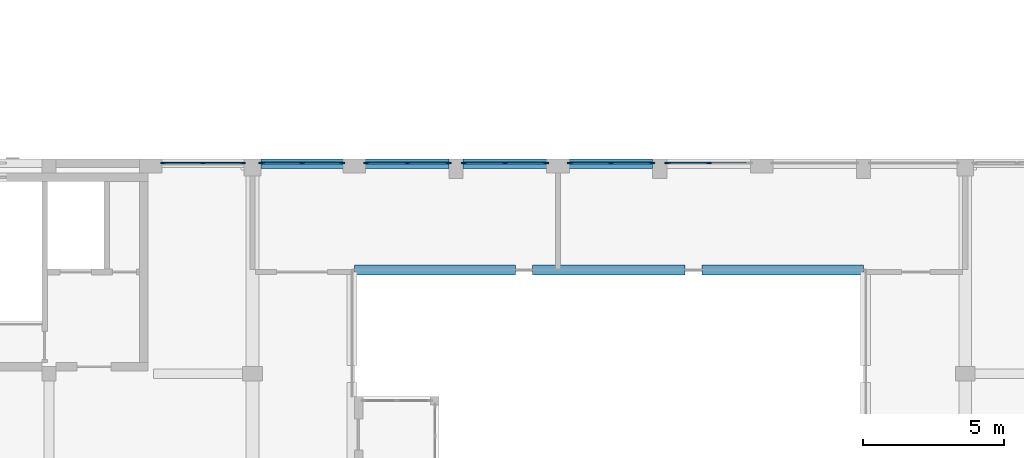
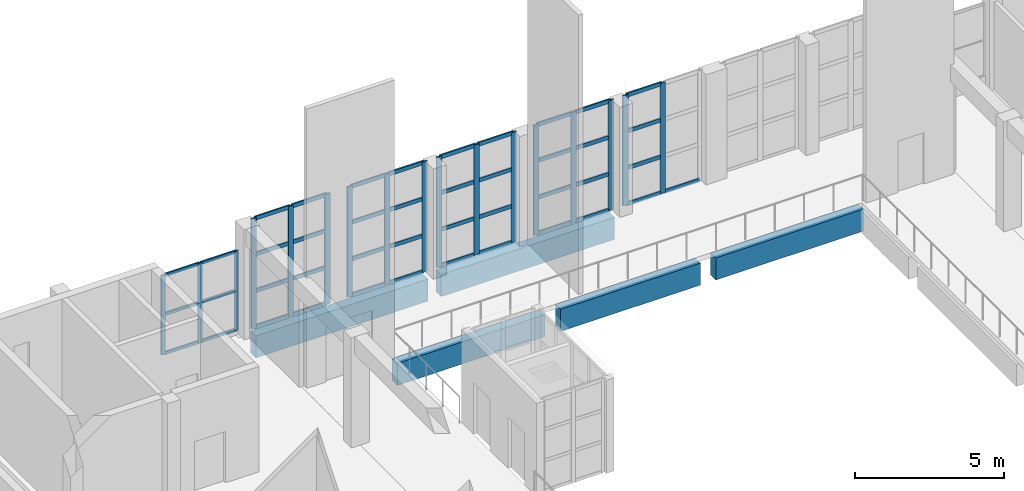
# One storey, part 8 of 54: 60 members, 5 beams, 6 elements without a shape of their own.
"""IFC4 building model written with IfcOpenShell, lengths in metres."""

from ifc_helpers import new_model, si_unit, direction, frame, origin, origin_2d, place, context, subcontext, project, spatial, rectangle, extrude, material, layer, layer_set, material_profile, profile_set, type_object, element, aggregate, save


model = new_model("IFC4")

# Units and contexts
model_context = context("Model", 3, precision=1e-05, world=origin(), true_north=direction((0.0, 1.0)))
body_context = subcontext(model_context, "Body", "Model", "MODEL_VIEW")
ifc_project = project(units=[si_unit("LENGTHUNIT", "METRE"), si_unit("AREAUNIT", "SQUARE_METRE"), si_unit("VOLUMEUNIT", "CUBIC_METRE"), si_unit("PLANEANGLEUNIT", "RADIAN"), si_unit("MASSUNIT", "GRAM", prefix="KILO")], contexts=[model_context])

# Site, building, storey
site_placement = place(None, origin())
site = spatial("IfcSite", under=ifc_project, at=site_placement, CompositionType="ELEMENT")
building_placement = place(site_placement, origin())
building = spatial("IfcBuilding", under=site, at=building_placement, Name="Ussher Court Research Institute", CompositionType="ELEMENT")
storey_placement = place(building_placement, frame((0.0, 0.0, 14.39990234375)))
storey = spatial("IfcBuildingStorey", under=building, at=storey_placement, Name="L03", CompositionType="ELEMENT", Elevation=14.39990234375)

# Curtain wall, members
ifc_material_1 = material(Name="Bronze anodised aluminium with fire-resisting glass", Category="aluminium")
ifc_layer_1 = layer(ifc_material_1, 0.1201171875)
ifc_layer_set_1 = layer_set([ifc_layer_1], Name="Bronze anodised aluminium with fire-resisting glass")
curtain_wall_type_1 = type_object("IfcCurtainWallType", Name="Curtain wall stair-side fire-resisting glazing", PredefinedType="NOTDEFINED", material=ifc_layer_set_1)
curtain_wall_1_placement = place(storey_placement, origin())
curtain_wall_1 = element("IfcCurtainWall", 1, at=curtain_wall_1_placement, inside=storey, type_object=curtain_wall_type_1, Name="Curtain wall CW13 L03", PredefinedType="NOTDEFINED")
ifc_material_2 = material(Name="Bronze anodised aluminium", Category="aluminium")
ifc_material_profile_1 = material_profile(ifc_material_2, rectangle(XDim=0.06005859375, YDim=0.159912109375, at=origin_2d()), Name="Mullion 60x160")
ifc_profile_set_1 = profile_set([ifc_material_profile_1], Name="Bronze anodised aluminium")
member_type_1 = type_object("IfcMemberType", Name="Mullion 60x160", PredefinedType="MULLION", material=ifc_profile_set_1)
member_1_placement = place(storey_placement, frame((35.830078125, 40.25, 0.150146484375), z_axis=(0.0, 0.0, 1.0), x_axis=(0.0, 1.0, 0.0)))
member_1 = element("IfcMember", 2, at=member_1_placement, type_object=member_type_1, Name="CW13 mullion 1", PredefinedType="MULLION", context=body_context, shape_type="SweptSolid", body=[
    extrude(rectangle(XDim=0.06005859375, YDim=0.159912109375, at=origin_2d()), origin(), (0.0, 0.0, 1.0), 3.25),
])
member_2_placement = place(storey_placement, frame((37.25, 40.25, 0.150146484375), z_axis=(0.0, 0.0, 1.0), x_axis=(0.0, 1.0, 0.0)))
member_2 = element("IfcMember", 3, at=member_2_placement, type_object=member_type_1, Name="CW13 mullion 2", PredefinedType="MULLION", context=body_context, shape_type="SweptSolid", body=[
    extrude(rectangle(XDim=0.06005859375, YDim=0.159912109375, at=origin_2d()), origin(), (0.0, 0.0, 1.0), 3.25),
])
member_3_placement = place(storey_placement, frame((38.669921875, 40.25, 0.150146484375), z_axis=(0.0, 0.0, 1.0), x_axis=(0.0, 1.0, 0.0)))
member_3 = element("IfcMember", 4, at=member_3_placement, type_object=member_type_1, Name="CW13 mullion 3", PredefinedType="MULLION", context=body_context, shape_type="SweptSolid", body=[
    extrude(rectangle(XDim=0.06005859375, YDim=0.159912109375, at=origin_2d()), origin(), (0.0, 0.0, 1.0), 3.25),
])

ifc_material_3 = material(Name="Bronze anodised aluminium with low-e glass", Category="aluminium")
ifc_layer_2 = layer(ifc_material_3, 0.159912109375)
ifc_layer_set_2 = layer_set([ifc_layer_2], Name="Bronze anodised aluminium with low-e glass")
curtain_wall_type_2 = type_object("IfcCurtainWallType", Name="Curtain wall atrium clerestory tall glazing", PredefinedType="NOTDEFINED", material=ifc_layer_set_2)
curtain_wall_2_placement = place(storey_placement, origin())
curtain_wall_2 = element("IfcCurtainWall", 5, at=curtain_wall_2_placement, inside=storey, type_object=curtain_wall_type_2, Name="Curtain wall CW3 L03", PredefinedType="NOTDEFINED")
ifc_material_4 = material(Name="Bronze anodised aluminium", Category="aluminium")
ifc_material_profile_2 = material_profile(ifc_material_4, rectangle(XDim=0.06005859375, YDim=0.199951171875, at=origin_2d()), Name="Mullion 60x200")
ifc_profile_set_2 = profile_set([ifc_material_profile_2], Name="Bronze anodised aluminium")
member_type_2 = type_object("IfcMemberType", Name="Mullion 60x200", PredefinedType="MULLION", material=ifc_profile_set_2)
member_4_placement = place(storey_placement, frame((39.330078125, 40.25, 0.0), z_axis=(0.0, 0.0, 1.0), x_axis=(0.0, 1.0, 0.0)))
member_4 = element("IfcMember", 6, at=member_4_placement, type_object=member_type_2, Name="CW3 mullion 1", PredefinedType="MULLION", context=body_context, shape_type="SweptSolid", body=[
    extrude(rectangle(XDim=0.06005859375, YDim=0.199951171875, at=origin_2d()), origin(), (0.0, 0.0, 1.0), 4.5),
])
member_5_placement = place(storey_placement, frame((40.75, 40.25, 0.0), z_axis=(0.0, 0.0, 1.0), x_axis=(0.0, 1.0, 0.0)))
member_5 = element("IfcMember", 7, at=member_5_placement, type_object=member_type_2, Name="CW3 mullion 2", PredefinedType="MULLION", context=body_context, shape_type="SweptSolid", body=[
    extrude(rectangle(XDim=0.06005859375, YDim=0.199951171875, at=origin_2d()), origin(), (0.0, 0.0, 1.0), 4.5),
])
member_6_placement = place(storey_placement, frame((42.169921875, 40.25, 0.0), z_axis=(0.0, 0.0, 1.0), x_axis=(0.0, 1.0, 0.0)))
member_6 = element("IfcMember", 8, at=member_6_placement, type_object=member_type_2, Name="CW3 mullion 3", PredefinedType="MULLION", context=body_context, shape_type="SweptSolid", body=[
    extrude(rectangle(XDim=0.06005859375, YDim=0.199951171875, at=origin_2d()), origin(), (0.0, 0.0, 1.0), 4.5),
])

curtain_wall_3_placement = place(storey_placement, origin())
curtain_wall_3 = element("IfcCurtainWall", 9, at=curtain_wall_3_placement, inside=storey, type_object=curtain_wall_type_2, Name="Curtain wall CW3 L03", PredefinedType="NOTDEFINED")
member_7_placement = place(storey_placement, frame((43.030029296875, 40.25, 0.0), z_axis=(0.0, 0.0, 1.0), x_axis=(0.0, 1.0, 0.0)))
member_7 = element("IfcMember", 10, at=member_7_placement, type_object=member_type_2, Name="CW3 mullion 1", PredefinedType="MULLION", context=body_context, shape_type="SweptSolid", body=[
    extrude(rectangle(XDim=0.06005859375, YDim=0.199951171875, at=origin_2d()), origin(), (0.0, 0.0, 1.0), 4.5),
])
member_8_placement = place(storey_placement, frame((44.47509765625, 40.25, 0.0), z_axis=(0.0, 0.0, 1.0), x_axis=(0.0, 1.0, 0.0)))
member_8 = element("IfcMember", 11, at=member_8_placement, type_object=member_type_2, Name="CW3 mullion 2", PredefinedType="MULLION", context=body_context, shape_type="SweptSolid", body=[
    extrude(rectangle(XDim=0.06005859375, YDim=0.199951171875, at=origin_2d()), origin(), (0.0, 0.0, 1.0), 4.5),
])
member_9_placement = place(storey_placement, frame((45.919921875, 40.25, 0.0), z_axis=(0.0, 0.0, 1.0), x_axis=(0.0, 1.0, 0.0)))
member_9 = element("IfcMember", 12, at=member_9_placement, type_object=member_type_2, Name="CW3 mullion 3", PredefinedType="MULLION", context=body_context, shape_type="SweptSolid", body=[
    extrude(rectangle(XDim=0.06005859375, YDim=0.199951171875, at=origin_2d()), origin(), (0.0, 0.0, 1.0), 4.5),
])

curtain_wall_4_placement = place(storey_placement, origin())
curtain_wall_4 = element("IfcCurtainWall", 13, at=curtain_wall_4_placement, inside=storey, type_object=curtain_wall_type_2, Name="Curtain wall CW3 L03", PredefinedType="NOTDEFINED")
member_10_placement = place(storey_placement, frame((46.47998046875, 40.25, 0.0), z_axis=(0.0, 0.0, 1.0), x_axis=(0.0, 1.0, 0.0)))
member_10 = element("IfcMember", 14, at=member_10_placement, type_object=member_type_2, Name="CW3 mullion 1", PredefinedType="MULLION", context=body_context, shape_type="SweptSolid", body=[
    extrude(rectangle(XDim=0.06005859375, YDim=0.199951171875, at=origin_2d()), origin(), (0.0, 0.0, 1.0), 4.5),
])
member_11_placement = place(storey_placement, frame((47.925048828125, 40.25, 0.0), z_axis=(0.0, 0.0, 1.0), x_axis=(0.0, 1.0, 0.0)))
member_11 = element("IfcMember", 15, at=member_11_placement, type_object=member_type_2, Name="CW3 mullion 2", PredefinedType="MULLION", context=body_context, shape_type="SweptSolid", body=[
    extrude(rectangle(XDim=0.06005859375, YDim=0.199951171875, at=origin_2d()), origin(), (0.0, 0.0, 1.0), 4.5),
])
member_12_placement = place(storey_placement, frame((49.3701171875, 40.25, 0.0), z_axis=(0.0, 0.0, 1.0), x_axis=(0.0, 1.0, 0.0)))
member_12 = element("IfcMember", 16, at=member_12_placement, type_object=member_type_2, Name="CW3 mullion 3", PredefinedType="MULLION", context=body_context, shape_type="SweptSolid", body=[
    extrude(rectangle(XDim=0.06005859375, YDim=0.199951171875, at=origin_2d()), origin(), (0.0, 0.0, 1.0), 4.5),
])

curtain_wall_5_placement = place(storey_placement, origin())
curtain_wall_5 = element("IfcCurtainWall", 17, at=curtain_wall_5_placement, inside=storey, type_object=curtain_wall_type_2, Name="Curtain wall CW3 L03", PredefinedType="NOTDEFINED")
member_13_placement = place(storey_placement, frame((50.22998046875, 40.25, 0.0), z_axis=(0.0, 0.0, 1.0), x_axis=(0.0, 1.0, 0.0)))
member_13 = element("IfcMember", 18, at=member_13_placement, type_object=member_type_2, Name="CW3 mullion 1", PredefinedType="MULLION", context=body_context, shape_type="SweptSolid", body=[
    extrude(rectangle(XDim=0.06005859375, YDim=0.199951171875, at=origin_2d()), origin(), (0.0, 0.0, 1.0), 4.5),
])
member_14_placement = place(storey_placement, frame((51.675048828125, 40.25, 0.0), z_axis=(0.0, 0.0, 1.0), x_axis=(0.0, 1.0, 0.0)))
member_14 = element("IfcMember", 19, at=member_14_placement, type_object=member_type_2, Name="CW3 mullion 2", PredefinedType="MULLION", context=body_context, shape_type="SweptSolid", body=[
    extrude(rectangle(XDim=0.06005859375, YDim=0.199951171875, at=origin_2d()), origin(), (0.0, 0.0, 1.0), 4.5),
])
member_15_placement = place(storey_placement, frame((53.1201171875, 40.25, 0.0), z_axis=(0.0, 0.0, 1.0), x_axis=(0.0, 1.0, 0.0)))
member_15 = element("IfcMember", 20, at=member_15_placement, type_object=member_type_2, Name="CW3 mullion 3", PredefinedType="MULLION", context=body_context, shape_type="SweptSolid", body=[
    extrude(rectangle(XDim=0.06005859375, YDim=0.199951171875, at=origin_2d()), origin(), (0.0, 0.0, 1.0), 4.5),
])

curtain_wall_6_placement = place(storey_placement, origin())
curtain_wall_6 = element("IfcCurtainWall", 21, at=curtain_wall_6_placement, inside=storey, type_object=curtain_wall_type_2, Name="Curtain wall CW3 L03", PredefinedType="NOTDEFINED")
member_16_placement = place(storey_placement, frame((53.679931640625, 40.25, 0.0), z_axis=(0.0, 0.0, 1.0), x_axis=(0.0, 1.0, 0.0)))
member_16 = element("IfcMember", 22, at=member_16_placement, type_object=member_type_2, Name="CW3 mullion 1", PredefinedType="MULLION", context=body_context, shape_type="SweptSolid", body=[
    extrude(rectangle(XDim=0.06005859375, YDim=0.199951171875, at=origin_2d()), origin(), (0.0, 0.0, 1.0), 4.5),
])
member_17_placement = place(storey_placement, frame((55.125, 40.25, 0.0), z_axis=(0.0, 0.0, 1.0), x_axis=(0.0, 1.0, 0.0)))
member_17 = element("IfcMember", 23, at=member_17_placement, type_object=member_type_2, Name="CW3 mullion 2", PredefinedType="MULLION", context=body_context, shape_type="SweptSolid", body=[
    extrude(rectangle(XDim=0.06005859375, YDim=0.199951171875, at=origin_2d()), origin(), (0.0, 0.0, 1.0), 4.5),
])

# Beams
ifc_material_5 = material(Name="Concrete C35/45", Category="concrete")
ifc_material_profile_3 = material_profile(ifc_material_5, rectangle(XDim=0.35009765625, YDim=0.89990234375, at=origin_2d()), Name="RC 350x900")
ifc_profile_set_3 = profile_set([ifc_material_profile_3], Name="Concrete C35/45")
beam_type = type_object("IfcBeamType", Name="RC 350x900 beam", PredefinedType="BEAM", material=ifc_profile_set_3)
beam_1_placement = place(storey_placement, frame((39.300048828125, 40.22509765625, -0.64990234375), z_axis=(1.0, 0.0, 0.0), x_axis=(0.0, 1.0, 0.0)))
element("IfcBeam", 24, at=beam_1_placement, inside=storey, type_object=beam_type, Name="SB1 V2 L03-05", PredefinedType="BEAM", context=body_context, shape_type="SweptSolid", body=[
    extrude(rectangle(XDim=0.35009765625, YDim=0.89990234375, at=origin_2d()), origin(), (0.0, 0.0, 1.0), 6.64990234375),
])
beam_2_placement = place(storey_placement, frame((46.449951171875, 40.22509765625, -0.64990234375), z_axis=(1.0, 0.0, 0.0), x_axis=(0.0, 1.0, 0.0)))
element("IfcBeam", 25, at=beam_2_placement, inside=storey, type_object=beam_type, Name="SB1 V2 L03-06", PredefinedType="BEAM", context=body_context, shape_type="SweptSolid", body=[
    extrude(rectangle(XDim=0.35009765625, YDim=0.89990234375, at=origin_2d()), origin(), (0.0, 0.0, 1.0), 6.699951171875),
])
beam_3_placement = place(storey_placement, frame((42.60009765625, 36.47509765625, -0.64990234375), z_axis=(1.0, 0.0, 0.0), x_axis=(0.0, 1.0, 0.0)))
element("IfcBeam", 26, at=beam_3_placement, inside=storey, type_object=beam_type, Name="SB1 V2 L03-20", PredefinedType="BEAM", context=body_context, shape_type="SweptSolid", body=[
    extrude(rectangle(XDim=0.35009765625, YDim=0.89990234375, at=origin_2d()), origin(), (0.0, 0.0, 1.0), 5.699951171875),
])
beam_4_placement = place(storey_placement, frame((48.89990234375, 36.47509765625, -0.64990234375), z_axis=(1.0, 0.0, 0.0), x_axis=(0.0, 1.0, 0.0)))
element("IfcBeam", 27, at=beam_4_placement, inside=storey, type_object=beam_type, Name="SB1 V2 L03-21", PredefinedType="BEAM", context=body_context, shape_type="SweptSolid", body=[
    extrude(rectangle(XDim=0.35009765625, YDim=0.89990234375, at=origin_2d()), origin(), (0.0, 0.0, 1.0), 5.400146484375),
])
beam_5_placement = place(storey_placement, frame((54.89990234375, 36.47509765625, -0.64990234375), z_axis=(1.0, 0.0, 0.0), x_axis=(0.0, 1.0, 0.0)))
element("IfcBeam", 28, at=beam_5_placement, inside=storey, type_object=beam_type, Name="SB1 V2 L03-22", PredefinedType="BEAM", context=body_context, shape_type="SweptSolid", body=[
    extrude(rectangle(XDim=0.35009765625, YDim=0.89990234375, at=origin_2d()), origin(), (0.0, 0.0, 1.0), 5.7001953125),
])

# Member
ifc_material_6 = material(Name="Bronze anodised aluminium", Category="aluminium")
ifc_material_profile_4 = material_profile(ifc_material_6, rectangle(XDim=0.06005859375, YDim=0.1201171875, at=origin_2d()), Name="Transom 60x120")
ifc_profile_set_4 = profile_set([ifc_material_profile_4], Name="Bronze anodised aluminium")
member_type_3 = type_object("IfcMemberType", Name="Transom 60x120", PredefinedType="USERDEFINED", material=ifc_profile_set_4)
member_18_placement = place(storey_placement, frame((35.860107421875, 40.25, 0.18017578125), z_axis=(1.0, 0.0, 0.0), x_axis=(0.0, 1.0, 0.0)))
member_18 = element("IfcMember", 29, at=member_18_placement, type_object=member_type_3, Name="CW13 transom 1.1", ObjectType="TRANSOM", PredefinedType="USERDEFINED", context=body_context, shape_type="SweptSolid", body=[
    extrude(rectangle(XDim=0.06005859375, YDim=0.1201171875, at=origin_2d()), origin(), (0.0, 0.0, 1.0), 1.35986328125),
])

member_19_placement = place(storey_placement, frame((35.860107421875, 40.25, 1.775146484375), z_axis=(1.0, 0.0, 0.0), x_axis=(0.0, 1.0, 0.0)))
member_19 = element("IfcMember", 30, at=member_19_placement, type_object=member_type_3, Name="CW13 transom 1.2", ObjectType="TRANSOM", PredefinedType="USERDEFINED", context=body_context, shape_type="SweptSolid", body=[
    extrude(rectangle(XDim=0.06005859375, YDim=0.1201171875, at=origin_2d()), origin(), (0.0, 0.0, 1.0), 1.35986328125),
])

member_20_placement = place(storey_placement, frame((35.860107421875, 40.25, 3.3701171875), z_axis=(1.0, 0.0, 0.0), x_axis=(0.0, 1.0, 0.0)))
member_20 = element("IfcMember", 31, at=member_20_placement, type_object=member_type_3, Name="CW13 transom 1.3", ObjectType="TRANSOM", PredefinedType="USERDEFINED", context=body_context, shape_type="SweptSolid", body=[
    extrude(rectangle(XDim=0.06005859375, YDim=0.1201171875, at=origin_2d()), origin(), (0.0, 0.0, 1.0), 1.35986328125),
])

member_21_placement = place(storey_placement, frame((37.280029296875, 40.25, 0.18017578125), z_axis=(1.0, 0.0, 0.0), x_axis=(0.0, 1.0, 0.0)))
member_21 = element("IfcMember", 32, at=member_21_placement, type_object=member_type_3, Name="CW13 transom 2.1", ObjectType="TRANSOM", PredefinedType="USERDEFINED", context=body_context, shape_type="SweptSolid", body=[
    extrude(rectangle(XDim=0.06005859375, YDim=0.1201171875, at=origin_2d()), origin(), (0.0, 0.0, 1.0), 1.35986328125),
])

member_22_placement = place(storey_placement, frame((37.280029296875, 40.25, 1.775146484375), z_axis=(1.0, 0.0, 0.0), x_axis=(0.0, 1.0, 0.0)))
member_22 = element("IfcMember", 33, at=member_22_placement, type_object=member_type_3, Name="CW13 transom 2.2", ObjectType="TRANSOM", PredefinedType="USERDEFINED", context=body_context, shape_type="SweptSolid", body=[
    extrude(rectangle(XDim=0.06005859375, YDim=0.1201171875, at=origin_2d()), origin(), (0.0, 0.0, 1.0), 1.35986328125),
])

member_23_placement = place(storey_placement, frame((37.280029296875, 40.25, 3.3701171875), z_axis=(1.0, 0.0, 0.0), x_axis=(0.0, 1.0, 0.0)))
member_23 = element("IfcMember", 34, at=member_23_placement, type_object=member_type_3, Name="CW13 transom 2.3", ObjectType="TRANSOM", PredefinedType="USERDEFINED", context=body_context, shape_type="SweptSolid", body=[
    extrude(rectangle(XDim=0.06005859375, YDim=0.1201171875, at=origin_2d()), origin(), (0.0, 0.0, 1.0), 1.35986328125),
])

aggregate(curtain_wall_1, [member_1, member_2, member_3, member_18, member_19, member_20, member_21, member_22, member_23])

ifc_material_7 = material(Name="Bronze anodised aluminium", Category="aluminium")
ifc_material_profile_5 = material_profile(ifc_material_7, rectangle(XDim=0.06005859375, YDim=0.159912109375, at=origin_2d()), Name="Transom 60x160")
ifc_profile_set_5 = profile_set([ifc_material_profile_5], Name="Bronze anodised aluminium")
member_type_4 = type_object("IfcMemberType", Name="Transom 60x160", PredefinedType="USERDEFINED", material=ifc_profile_set_5)
member_24_placement = place(storey_placement, frame((39.360107421875, 40.25, 0.030029296875), z_axis=(1.0, 0.0, 0.0), x_axis=(0.0, 1.0, 0.0)))
member_24 = element("IfcMember", 35, at=member_24_placement, type_object=member_type_4, Name="CW3 transom 1.1", ObjectType="TRANSOM", PredefinedType="USERDEFINED", context=body_context, shape_type="SweptSolid", body=[
    extrude(rectangle(XDim=0.06005859375, YDim=0.159912109375, at=origin_2d()), origin(), (0.0, 0.0, 1.0), 1.35986328125),
])

member_25_placement = place(storey_placement, frame((39.360107421875, 40.25, 1.5), z_axis=(1.0, 0.0, 0.0), x_axis=(0.0, 1.0, 0.0)))
member_25 = element("IfcMember", 36, at=member_25_placement, type_object=member_type_4, Name="CW3 transom 1.2", ObjectType="TRANSOM", PredefinedType="USERDEFINED", context=body_context, shape_type="SweptSolid", body=[
    extrude(rectangle(XDim=0.06005859375, YDim=0.159912109375, at=origin_2d()), origin(), (0.0, 0.0, 1.0), 1.35986328125),
])

member_26_placement = place(storey_placement, frame((39.360107421875, 40.25, 3.0), z_axis=(1.0, 0.0, 0.0), x_axis=(0.0, 1.0, 0.0)))
member_26 = element("IfcMember", 37, at=member_26_placement, type_object=member_type_4, Name="CW3 transom 1.3", ObjectType="TRANSOM", PredefinedType="USERDEFINED", context=body_context, shape_type="SweptSolid", body=[
    extrude(rectangle(XDim=0.06005859375, YDim=0.159912109375, at=origin_2d()), origin(), (0.0, 0.0, 1.0), 1.35986328125),
])

member_27_placement = place(storey_placement, frame((39.360107421875, 40.25, 4.47021484375), z_axis=(1.0, 0.0, 0.0), x_axis=(0.0, 1.0, 0.0)))
member_27 = element("IfcMember", 38, at=member_27_placement, type_object=member_type_4, Name="CW3 transom 1.4", ObjectType="TRANSOM", PredefinedType="USERDEFINED", context=body_context, shape_type="SweptSolid", body=[
    extrude(rectangle(XDim=0.06005859375, YDim=0.159912109375, at=origin_2d()), origin(), (0.0, 0.0, 1.0), 1.35986328125),
])

member_28_placement = place(storey_placement, frame((40.780029296875, 40.25, 0.030029296875), z_axis=(1.0, 0.0, 0.0), x_axis=(0.0, 1.0, 0.0)))
member_28 = element("IfcMember", 39, at=member_28_placement, type_object=member_type_4, Name="CW3 transom 2.1", ObjectType="TRANSOM", PredefinedType="USERDEFINED", context=body_context, shape_type="SweptSolid", body=[
    extrude(rectangle(XDim=0.06005859375, YDim=0.159912109375, at=origin_2d()), origin(), (0.0, 0.0, 1.0), 1.35986328125),
])

member_29_placement = place(storey_placement, frame((40.780029296875, 40.25, 1.5), z_axis=(1.0, 0.0, 0.0), x_axis=(0.0, 1.0, 0.0)))
member_29 = element("IfcMember", 40, at=member_29_placement, type_object=member_type_4, Name="CW3 transom 2.2", ObjectType="TRANSOM", PredefinedType="USERDEFINED", context=body_context, shape_type="SweptSolid", body=[
    extrude(rectangle(XDim=0.06005859375, YDim=0.159912109375, at=origin_2d()), origin(), (0.0, 0.0, 1.0), 1.35986328125),
])

member_30_placement = place(storey_placement, frame((40.780029296875, 40.25, 3.0), z_axis=(1.0, 0.0, 0.0), x_axis=(0.0, 1.0, 0.0)))
member_30 = element("IfcMember", 41, at=member_30_placement, type_object=member_type_4, Name="CW3 transom 2.3", ObjectType="TRANSOM", PredefinedType="USERDEFINED", context=body_context, shape_type="SweptSolid", body=[
    extrude(rectangle(XDim=0.06005859375, YDim=0.159912109375, at=origin_2d()), origin(), (0.0, 0.0, 1.0), 1.35986328125),
])

member_31_placement = place(storey_placement, frame((40.780029296875, 40.25, 4.47021484375), z_axis=(1.0, 0.0, 0.0), x_axis=(0.0, 1.0, 0.0)))
member_31 = element("IfcMember", 42, at=member_31_placement, type_object=member_type_4, Name="CW3 transom 2.4", ObjectType="TRANSOM", PredefinedType="USERDEFINED", context=body_context, shape_type="SweptSolid", body=[
    extrude(rectangle(XDim=0.06005859375, YDim=0.159912109375, at=origin_2d()), origin(), (0.0, 0.0, 1.0), 1.35986328125),
])

aggregate(curtain_wall_2, [member_4, member_5, member_6, member_24, member_25, member_26, member_27, member_28, member_29, member_30, member_31])

member_32_placement = place(storey_placement, frame((43.06005859375, 40.25, 0.030029296875), z_axis=(1.0, 0.0, 0.0), x_axis=(0.0, 1.0, 0.0)))
member_32 = element("IfcMember", 43, at=member_32_placement, type_object=member_type_4, Name="CW3 transom 1.1", ObjectType="TRANSOM", PredefinedType="USERDEFINED", context=body_context, shape_type="SweptSolid", body=[
    extrude(rectangle(XDim=0.06005859375, YDim=0.159912109375, at=origin_2d()), origin(), (0.0, 0.0, 1.0), 1.385009765625),
])

member_33_placement = place(storey_placement, frame((43.06005859375, 40.25, 1.5), z_axis=(1.0, 0.0, 0.0), x_axis=(0.0, 1.0, 0.0)))
member_33 = element("IfcMember", 44, at=member_33_placement, type_object=member_type_4, Name="CW3 transom 1.2", ObjectType="TRANSOM", PredefinedType="USERDEFINED", context=body_context, shape_type="SweptSolid", body=[
    extrude(rectangle(XDim=0.06005859375, YDim=0.159912109375, at=origin_2d()), origin(), (0.0, 0.0, 1.0), 1.385009765625),
])

member_34_placement = place(storey_placement, frame((43.06005859375, 40.25, 3.0), z_axis=(1.0, 0.0, 0.0), x_axis=(0.0, 1.0, 0.0)))
member_34 = element("IfcMember", 45, at=member_34_placement, type_object=member_type_4, Name="CW3 transom 1.3", ObjectType="TRANSOM", PredefinedType="USERDEFINED", context=body_context, shape_type="SweptSolid", body=[
    extrude(rectangle(XDim=0.06005859375, YDim=0.159912109375, at=origin_2d()), origin(), (0.0, 0.0, 1.0), 1.385009765625),
])

member_35_placement = place(storey_placement, frame((43.06005859375, 40.25, 4.47021484375), z_axis=(1.0, 0.0, 0.0), x_axis=(0.0, 1.0, 0.0)))
member_35 = element("IfcMember", 46, at=member_35_placement, type_object=member_type_4, Name="CW3 transom 1.4", ObjectType="TRANSOM", PredefinedType="USERDEFINED", context=body_context, shape_type="SweptSolid", body=[
    extrude(rectangle(XDim=0.06005859375, YDim=0.159912109375, at=origin_2d()), origin(), (0.0, 0.0, 1.0), 1.385009765625),
])

member_36_placement = place(storey_placement, frame((44.5048828125, 40.25, 0.030029296875), z_axis=(1.0, 0.0, 0.0), x_axis=(0.0, 1.0, 0.0)))
member_36 = element("IfcMember", 47, at=member_36_placement, type_object=member_type_4, Name="CW3 transom 2.1", ObjectType="TRANSOM", PredefinedType="USERDEFINED", context=body_context, shape_type="SweptSolid", body=[
    extrude(rectangle(XDim=0.06005859375, YDim=0.159912109375, at=origin_2d()), origin(), (0.0, 0.0, 1.0), 1.385009765625),
])

member_37_placement = place(storey_placement, frame((44.5048828125, 40.25, 1.5), z_axis=(1.0, 0.0, 0.0), x_axis=(0.0, 1.0, 0.0)))
member_37 = element("IfcMember", 48, at=member_37_placement, type_object=member_type_4, Name="CW3 transom 2.2", ObjectType="TRANSOM", PredefinedType="USERDEFINED", context=body_context, shape_type="SweptSolid", body=[
    extrude(rectangle(XDim=0.06005859375, YDim=0.159912109375, at=origin_2d()), origin(), (0.0, 0.0, 1.0), 1.385009765625),
])

member_38_placement = place(storey_placement, frame((44.5048828125, 40.25, 3.0), z_axis=(1.0, 0.0, 0.0), x_axis=(0.0, 1.0, 0.0)))
member_38 = element("IfcMember", 49, at=member_38_placement, type_object=member_type_4, Name="CW3 transom 2.3", ObjectType="TRANSOM", PredefinedType="USERDEFINED", context=body_context, shape_type="SweptSolid", body=[
    extrude(rectangle(XDim=0.06005859375, YDim=0.159912109375, at=origin_2d()), origin(), (0.0, 0.0, 1.0), 1.385009765625),
])

member_39_placement = place(storey_placement, frame((44.5048828125, 40.25, 4.47021484375), z_axis=(1.0, 0.0, 0.0), x_axis=(0.0, 1.0, 0.0)))
member_39 = element("IfcMember", 50, at=member_39_placement, type_object=member_type_4, Name="CW3 transom 2.4", ObjectType="TRANSOM", PredefinedType="USERDEFINED", context=body_context, shape_type="SweptSolid", body=[
    extrude(rectangle(XDim=0.06005859375, YDim=0.159912109375, at=origin_2d()), origin(), (0.0, 0.0, 1.0), 1.385009765625),
])

aggregate(curtain_wall_3, [member_7, member_8, member_9, member_32, member_33, member_34, member_35, member_36, member_37, member_38, member_39])

member_40_placement = place(storey_placement, frame((46.510009765625, 40.25, 0.030029296875), z_axis=(1.0, 0.0, 0.0), x_axis=(0.0, 1.0, 0.0)))
member_40 = element("IfcMember", 51, at=member_40_placement, type_object=member_type_4, Name="CW3 transom 1.1", ObjectType="TRANSOM", PredefinedType="USERDEFINED", context=body_context, shape_type="SweptSolid", body=[
    extrude(rectangle(XDim=0.06005859375, YDim=0.159912109375, at=origin_2d()), origin(), (0.0, 0.0, 1.0), 1.385009765625),
])

member_41_placement = place(storey_placement, frame((46.510009765625, 40.25, 1.5), z_axis=(1.0, 0.0, 0.0), x_axis=(0.0, 1.0, 0.0)))
member_41 = element("IfcMember", 52, at=member_41_placement, type_object=member_type_4, Name="CW3 transom 1.2", ObjectType="TRANSOM", PredefinedType="USERDEFINED", context=body_context, shape_type="SweptSolid", body=[
    extrude(rectangle(XDim=0.06005859375, YDim=0.159912109375, at=origin_2d()), origin(), (0.0, 0.0, 1.0), 1.385009765625),
])

member_42_placement = place(storey_placement, frame((46.510009765625, 40.25, 3.0), z_axis=(1.0, 0.0, 0.0), x_axis=(0.0, 1.0, 0.0)))
member_42 = element("IfcMember", 53, at=member_42_placement, type_object=member_type_4, Name="CW3 transom 1.3", ObjectType="TRANSOM", PredefinedType="USERDEFINED", context=body_context, shape_type="SweptSolid", body=[
    extrude(rectangle(XDim=0.06005859375, YDim=0.159912109375, at=origin_2d()), origin(), (0.0, 0.0, 1.0), 1.385009765625),
])

member_43_placement = place(storey_placement, frame((46.510009765625, 40.25, 4.47021484375), z_axis=(1.0, 0.0, 0.0), x_axis=(0.0, 1.0, 0.0)))
member_43 = element("IfcMember", 54, at=member_43_placement, type_object=member_type_4, Name="CW3 transom 1.4", ObjectType="TRANSOM", PredefinedType="USERDEFINED", context=body_context, shape_type="SweptSolid", body=[
    extrude(rectangle(XDim=0.06005859375, YDim=0.159912109375, at=origin_2d()), origin(), (0.0, 0.0, 1.0), 1.385009765625),
])

member_44_placement = place(storey_placement, frame((47.955078125, 40.25, 0.030029296875), z_axis=(1.0, 0.0, 0.0), x_axis=(0.0, 1.0, 0.0)))
member_44 = element("IfcMember", 55, at=member_44_placement, type_object=member_type_4, Name="CW3 transom 2.1", ObjectType="TRANSOM", PredefinedType="USERDEFINED", context=body_context, shape_type="SweptSolid", body=[
    extrude(rectangle(XDim=0.06005859375, YDim=0.159912109375, at=origin_2d()), origin(), (0.0, 0.0, 1.0), 1.385009765625),
])

member_45_placement = place(storey_placement, frame((47.955078125, 40.25, 1.5), z_axis=(1.0, 0.0, 0.0), x_axis=(0.0, 1.0, 0.0)))
member_45 = element("IfcMember", 56, at=member_45_placement, type_object=member_type_4, Name="CW3 transom 2.2", ObjectType="TRANSOM", PredefinedType="USERDEFINED", context=body_context, shape_type="SweptSolid", body=[
    extrude(rectangle(XDim=0.06005859375, YDim=0.159912109375, at=origin_2d()), origin(), (0.0, 0.0, 1.0), 1.385009765625),
])

member_46_placement = place(storey_placement, frame((47.955078125, 40.25, 3.0), z_axis=(1.0, 0.0, 0.0), x_axis=(0.0, 1.0, 0.0)))
member_46 = element("IfcMember", 57, at=member_46_placement, type_object=member_type_4, Name="CW3 transom 2.3", ObjectType="TRANSOM", PredefinedType="USERDEFINED", context=body_context, shape_type="SweptSolid", body=[
    extrude(rectangle(XDim=0.06005859375, YDim=0.159912109375, at=origin_2d()), origin(), (0.0, 0.0, 1.0), 1.385009765625),
])

member_47_placement = place(storey_placement, frame((47.955078125, 40.25, 4.47021484375), z_axis=(1.0, 0.0, 0.0), x_axis=(0.0, 1.0, 0.0)))
member_47 = element("IfcMember", 58, at=member_47_placement, type_object=member_type_4, Name="CW3 transom 2.4", ObjectType="TRANSOM", PredefinedType="USERDEFINED", context=body_context, shape_type="SweptSolid", body=[
    extrude(rectangle(XDim=0.06005859375, YDim=0.159912109375, at=origin_2d()), origin(), (0.0, 0.0, 1.0), 1.385009765625),
])

aggregate(curtain_wall_4, [member_10, member_11, member_12, member_40, member_41, member_42, member_43, member_44, member_45, member_46, member_47])

member_48_placement = place(storey_placement, frame((50.260009765625, 40.25, 0.030029296875), z_axis=(1.0, 0.0, 0.0), x_axis=(0.0, 1.0, 0.0)))
member_48 = element("IfcMember", 59, at=member_48_placement, type_object=member_type_4, Name="CW3 transom 1.1", ObjectType="TRANSOM", PredefinedType="USERDEFINED", context=body_context, shape_type="SweptSolid", body=[
    extrude(rectangle(XDim=0.06005859375, YDim=0.159912109375, at=origin_2d()), origin(), (0.0, 0.0, 1.0), 1.385009765625),
])

member_49_placement = place(storey_placement, frame((50.260009765625, 40.25, 1.5), z_axis=(1.0, 0.0, 0.0), x_axis=(0.0, 1.0, 0.0)))
member_49 = element("IfcMember", 60, at=member_49_placement, type_object=member_type_4, Name="CW3 transom 1.2", ObjectType="TRANSOM", PredefinedType="USERDEFINED", context=body_context, shape_type="SweptSolid", body=[
    extrude(rectangle(XDim=0.06005859375, YDim=0.159912109375, at=origin_2d()), origin(), (0.0, 0.0, 1.0), 1.385009765625),
])

member_50_placement = place(storey_placement, frame((50.260009765625, 40.25, 3.0), z_axis=(1.0, 0.0, 0.0), x_axis=(0.0, 1.0, 0.0)))
member_50 = element("IfcMember", 61, at=member_50_placement, type_object=member_type_4, Name="CW3 transom 1.3", ObjectType="TRANSOM", PredefinedType="USERDEFINED", context=body_context, shape_type="SweptSolid", body=[
    extrude(rectangle(XDim=0.06005859375, YDim=0.159912109375, at=origin_2d()), origin(), (0.0, 0.0, 1.0), 1.385009765625),
])

member_51_placement = place(storey_placement, frame((50.260009765625, 40.25, 4.47021484375), z_axis=(1.0, 0.0, 0.0), x_axis=(0.0, 1.0, 0.0)))
member_51 = element("IfcMember", 62, at=member_51_placement, type_object=member_type_4, Name="CW3 transom 1.4", ObjectType="TRANSOM", PredefinedType="USERDEFINED", context=body_context, shape_type="SweptSolid", body=[
    extrude(rectangle(XDim=0.06005859375, YDim=0.159912109375, at=origin_2d()), origin(), (0.0, 0.0, 1.0), 1.385009765625),
])

member_52_placement = place(storey_placement, frame((51.705078125, 40.25, 0.030029296875), z_axis=(1.0, 0.0, 0.0), x_axis=(0.0, 1.0, 0.0)))
member_52 = element("IfcMember", 63, at=member_52_placement, type_object=member_type_4, Name="CW3 transom 2.1", ObjectType="TRANSOM", PredefinedType="USERDEFINED", context=body_context, shape_type="SweptSolid", body=[
    extrude(rectangle(XDim=0.06005859375, YDim=0.159912109375, at=origin_2d()), origin(), (0.0, 0.0, 1.0), 1.385009765625),
])

member_53_placement = place(storey_placement, frame((51.705078125, 40.25, 1.5), z_axis=(1.0, 0.0, 0.0), x_axis=(0.0, 1.0, 0.0)))
member_53 = element("IfcMember", 64, at=member_53_placement, type_object=member_type_4, Name="CW3 transom 2.2", ObjectType="TRANSOM", PredefinedType="USERDEFINED", context=body_context, shape_type="SweptSolid", body=[
    extrude(rectangle(XDim=0.06005859375, YDim=0.159912109375, at=origin_2d()), origin(), (0.0, 0.0, 1.0), 1.385009765625),
])

member_54_placement = place(storey_placement, frame((51.705078125, 40.25, 3.0), z_axis=(1.0, 0.0, 0.0), x_axis=(0.0, 1.0, 0.0)))
member_54 = element("IfcMember", 65, at=member_54_placement, type_object=member_type_4, Name="CW3 transom 2.3", ObjectType="TRANSOM", PredefinedType="USERDEFINED", context=body_context, shape_type="SweptSolid", body=[
    extrude(rectangle(XDim=0.06005859375, YDim=0.159912109375, at=origin_2d()), origin(), (0.0, 0.0, 1.0), 1.385009765625),
])

member_55_placement = place(storey_placement, frame((51.705078125, 40.25, 4.47021484375), z_axis=(1.0, 0.0, 0.0), x_axis=(0.0, 1.0, 0.0)))
member_55 = element("IfcMember", 66, at=member_55_placement, type_object=member_type_4, Name="CW3 transom 2.4", ObjectType="TRANSOM", PredefinedType="USERDEFINED", context=body_context, shape_type="SweptSolid", body=[
    extrude(rectangle(XDim=0.06005859375, YDim=0.159912109375, at=origin_2d()), origin(), (0.0, 0.0, 1.0), 1.385009765625),
])

aggregate(curtain_wall_5, [member_13, member_14, member_15, member_48, member_49, member_50, member_51, member_52, member_53, member_54, member_55])

member_56_placement = place(storey_placement, frame((53.7099609375, 40.25, 0.030029296875), z_axis=(1.0, 0.0, 0.0), x_axis=(0.0, 1.0, 0.0)))
member_56 = element("IfcMember", 67, at=member_56_placement, type_object=member_type_4, Name="CW3 transom 1.1", ObjectType="TRANSOM", PredefinedType="USERDEFINED", context=body_context, shape_type="SweptSolid", body=[
    extrude(rectangle(XDim=0.06005859375, YDim=0.159912109375, at=origin_2d()), origin(), (0.0, 0.0, 1.0), 1.385009765625),
])

member_57_placement = place(storey_placement, frame((53.7099609375, 40.25, 1.5), z_axis=(1.0, 0.0, 0.0), x_axis=(0.0, 1.0, 0.0)))
member_57 = element("IfcMember", 68, at=member_57_placement, type_object=member_type_4, Name="CW3 transom 1.2", ObjectType="TRANSOM", PredefinedType="USERDEFINED", context=body_context, shape_type="SweptSolid", body=[
    extrude(rectangle(XDim=0.06005859375, YDim=0.159912109375, at=origin_2d()), origin(), (0.0, 0.0, 1.0), 1.385009765625),
])

member_58_placement = place(storey_placement, frame((53.7099609375, 40.25, 3.0), z_axis=(1.0, 0.0, 0.0), x_axis=(0.0, 1.0, 0.0)))
member_58 = element("IfcMember", 69, at=member_58_placement, type_object=member_type_4, Name="CW3 transom 1.3", ObjectType="TRANSOM", PredefinedType="USERDEFINED", context=body_context, shape_type="SweptSolid", body=[
    extrude(rectangle(XDim=0.06005859375, YDim=0.159912109375, at=origin_2d()), origin(), (0.0, 0.0, 1.0), 1.385009765625),
])

member_59_placement = place(storey_placement, frame((53.7099609375, 40.25, 4.47021484375), z_axis=(1.0, 0.0, 0.0), x_axis=(0.0, 1.0, 0.0)))
member_59 = element("IfcMember", 70, at=member_59_placement, type_object=member_type_4, Name="CW3 transom 1.4", ObjectType="TRANSOM", PredefinedType="USERDEFINED", context=body_context, shape_type="SweptSolid", body=[
    extrude(rectangle(XDim=0.06005859375, YDim=0.159912109375, at=origin_2d()), origin(), (0.0, 0.0, 1.0), 1.385009765625),
])

member_60_placement = place(storey_placement, frame((55.155029296875, 40.25, 0.030029296875), z_axis=(1.0, 0.0, 0.0), x_axis=(0.0, 1.0, 0.0)))
member_60 = element("IfcMember", 71, at=member_60_placement, type_object=member_type_4, Name="CW3 transom 2.1", ObjectType="TRANSOM", PredefinedType="USERDEFINED", context=body_context, shape_type="SweptSolid", body=[
    extrude(rectangle(XDim=0.06005859375, YDim=0.159912109375, at=origin_2d()), origin(), (0.0, 0.0, 1.0), 1.385009765625),
])

aggregate(curtain_wall_6, [member_16, member_17, member_56, member_57, member_58, member_59, member_60])

save(model, "model.ifc")
